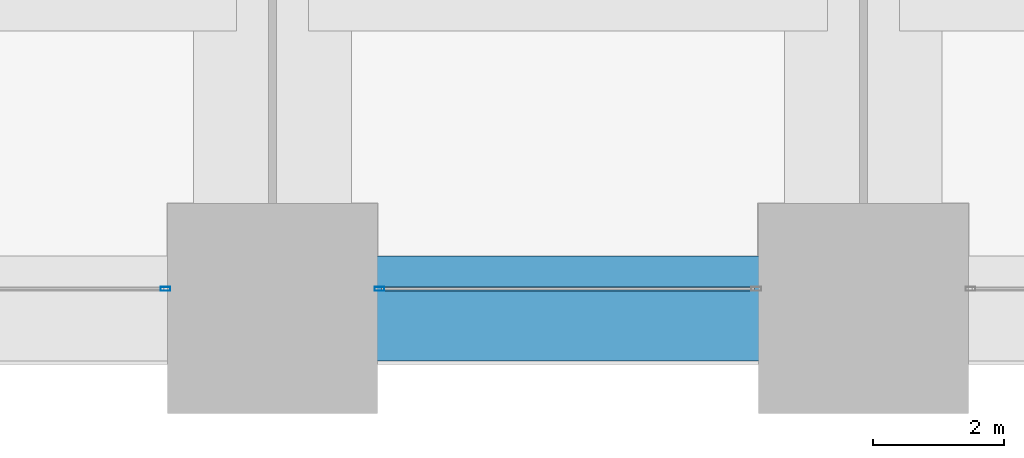
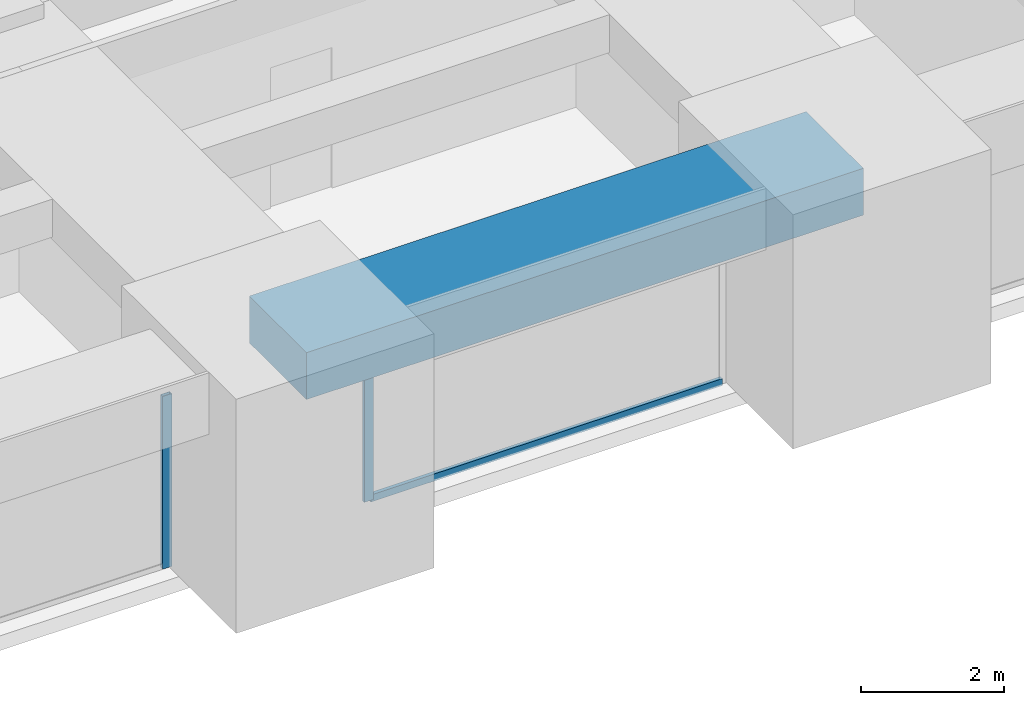
# One storey, part 6 of 36: 3 members, 1 beam, 2 elements without a shape of their own.
"""IFC4 building model written with IfcOpenShell, lengths in metres."""

from ifc_helpers import new_model, si_unit, direction, frame, origin, origin_2d, place, context, subcontext, project, spatial, rectangle, hollow_rectangle, extrude, material, material_profile, profile_set, type_object, element, aggregate, save


model = new_model("IFC4")

# Units and contexts
model_context = context("Model", 3, precision=1e-05, world=origin(), true_north=direction((0.0, 1.0)))
body_context = subcontext(model_context, "Body", "Model", "MODEL_VIEW")
ifc_project = project(units=[si_unit("LENGTHUNIT", "METRE"), si_unit("AREAUNIT", "SQUARE_METRE"), si_unit("VOLUMEUNIT", "CUBIC_METRE"), si_unit("PLANEANGLEUNIT", "RADIAN"), si_unit("MASSUNIT", "GRAM", prefix="KILO")], contexts=[model_context])

# Site, building, storey
site_placement = place(None, origin())
site = spatial("IfcSite", under=ifc_project, at=site_placement, CompositionType="ELEMENT")
building_placement = place(site_placement, origin())
building = spatial("IfcBuilding", under=site, at=building_placement, Name="Zorevar Civic Tower", CompositionType="ELEMENT")
storey_placement = place(building_placement, frame((0.0, 0.0, 166.199951171875)))
storey = spatial("IfcBuildingStorey", under=building, at=storey_placement, Name="L40", CompositionType="ELEMENT", Elevation=166.199951171875)

# Curtain wall, member
ifc_material_1 = material(Name="Dark grey solar-control glass in black aluminium frame", Category="aluminium")
curtain_wall_type = type_object("IfcCurtainWallType", Name="Curtain wall CW4 high zone", PredefinedType="NOTDEFINED", material=ifc_material_1)
curtain_wall_1_placement = place(storey_placement, origin())
curtain_wall_1 = element("IfcCurtainWall", 1, at=curtain_wall_1_placement, inside=storey, type_object=curtain_wall_type, Name="CW4 L40", PredefinedType="NOTDEFINED")
ifc_material_2 = material(Name="Aluminium, black anodised", Category="aluminium")
ifc_material_profile_1 = material_profile(ifc_material_2, hollow_rectangle(XDim=0.06005859375, YDim=0.14990234375, WallThickness=0.00390625, at=origin_2d()), Name="AL 150x60x4")
ifc_profile_set_1 = profile_set([ifc_material_profile_1], Name="Aluminium, black anodised")
member_type_1 = type_object("IfcMemberType", Name="CW4 mullion AL 150x60x4", PredefinedType="MULLION", material=ifc_profile_set_1)
member_1_placement = place(storey_placement, frame((16.3701171875, 0.300048828125, 0.0), z_axis=(0.0, 0.0, 1.0), x_axis=(0.0, 1.0, 0.0)))
member_1 = element("IfcMember", 2, at=member_1_placement, type_object=member_type_1, Name="CW4 mullion 3", PredefinedType="MULLION", context=body_context, shape_type="SweptSolid", body=[
    extrude(hollow_rectangle(XDim=0.06005859375, YDim=0.14990234375, WallThickness=0.00390625, at=origin_2d()), origin(), (0.0, 0.0, 1.0), 2.949951171875),
])
aggregate(curtain_wall_1, [member_1])

# Curtain wall, members
curtain_wall_2_placement = place(storey_placement, origin())
curtain_wall_2 = element("IfcCurtainWall", 3, at=curtain_wall_2_placement, inside=storey, type_object=curtain_wall_type, Name="CW4 L40", PredefinedType="NOTDEFINED")
member_2_placement = place(storey_placement, frame((19.6298828125, 0.300048828125, 0.0), z_axis=(0.0, 0.0, 1.0), x_axis=(0.0, 1.0, 0.0)))
member_2 = element("IfcMember", 4, at=member_2_placement, type_object=member_type_1, Name="CW4 mullion 1", PredefinedType="MULLION", context=body_context, shape_type="SweptSolid", body=[
    extrude(hollow_rectangle(XDim=0.06005859375, YDim=0.14990234375, WallThickness=0.00390625, at=origin_2d()), origin(), (0.0, 0.0, 1.0), 2.949951171875),
])
ifc_material_3 = material(Name="Aluminium, black anodised", Category="aluminium")
ifc_material_profile_2 = material_profile(ifc_material_3, hollow_rectangle(XDim=0.06005859375, YDim=0.1201171875, WallThickness=0.0029296875, at=origin_2d()), Name="AL 120x60x3")
ifc_profile_set_2 = profile_set([ifc_material_profile_2], Name="Aluminium, black anodised")
member_type_2 = type_object("IfcMemberType", Name="CW4 transom AL 120x60x3", PredefinedType="USERDEFINED", material=ifc_profile_set_2)
member_3_placement = place(storey_placement, frame((19.659912109375, 0.300048828125, 0.030029296875), z_axis=(1.0, 0.0, 0.0), x_axis=(0.0, 1.0, 0.0)))
member_3 = element("IfcMember", 5, at=member_3_placement, type_object=member_type_2, Name="CW4 sill transom", ObjectType="TRANSOM", PredefinedType="USERDEFINED", context=body_context, shape_type="SweptSolid", body=[
    extrude(hollow_rectangle(XDim=0.06005859375, YDim=0.1201171875, WallThickness=0.0029296875, at=origin_2d()), origin(), (0.0, 0.0, 1.0), 5.68017578125),
])
aggregate(curtain_wall_2, [member_2, member_3])

# Beam
ifc_material_4 = material(Name="Concrete C50/60", Category="concrete")
ifc_material_profile_3 = material_profile(ifc_material_4, rectangle(XDim=1.60009765625, YDim=0.800048828125, at=origin_2d()), Name="RC 1600x800")
ifc_profile_set_3 = profile_set([ifc_material_profile_3], Name="Concrete C50/60")
beam_type = type_object("IfcBeamType", Name="Edge beam RC 1600x800", PredefinedType="SPANDREL", material=ifc_profile_set_3)
beam_placement = place(storey_placement, frame((18.0, 0.0, 3.35009765625), z_axis=(1.0, 0.0, 0.0), x_axis=(0.0, 1.0, 0.0)))
element("IfcBeam", 6, at=beam_placement, inside=storey, type_object=beam_type, Name="Edge beam L41", PredefinedType="SPANDREL", context=body_context, shape_type="SweptSolid", body=[
    extrude(rectangle(XDim=1.60009765625, YDim=0.800048828125, at=origin_2d()), origin(), (0.0, 0.0, 1.0), 9.0),
])

save(model, "model.ifc")
